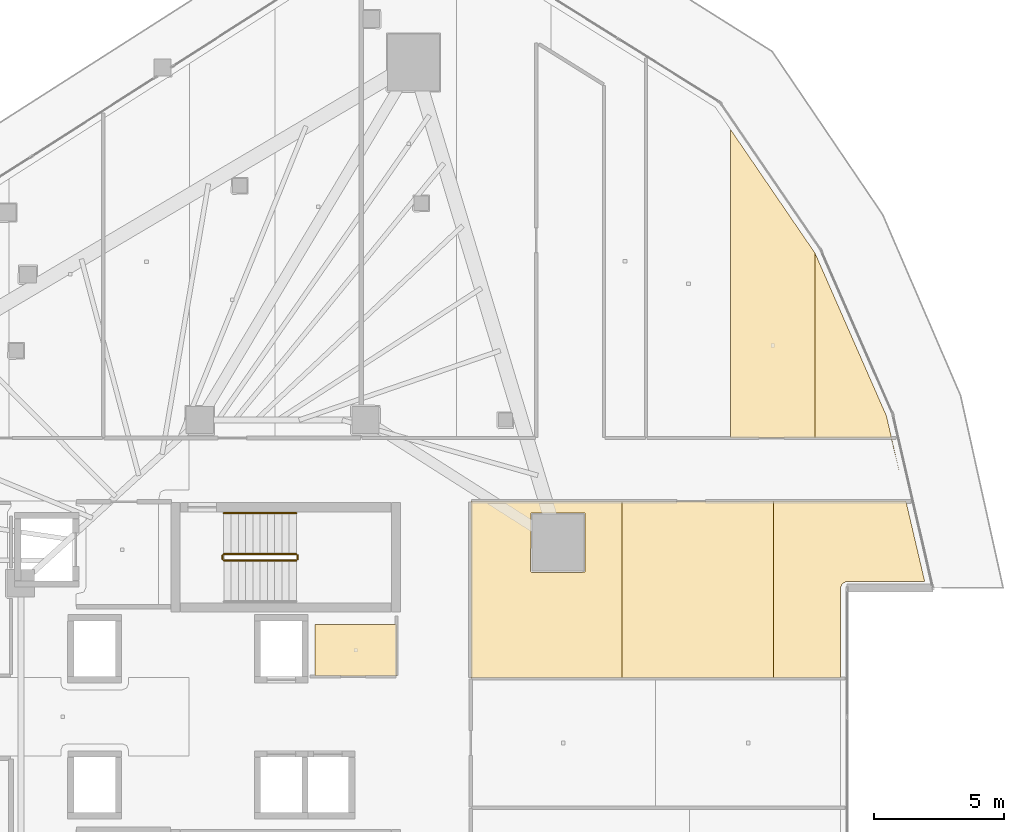
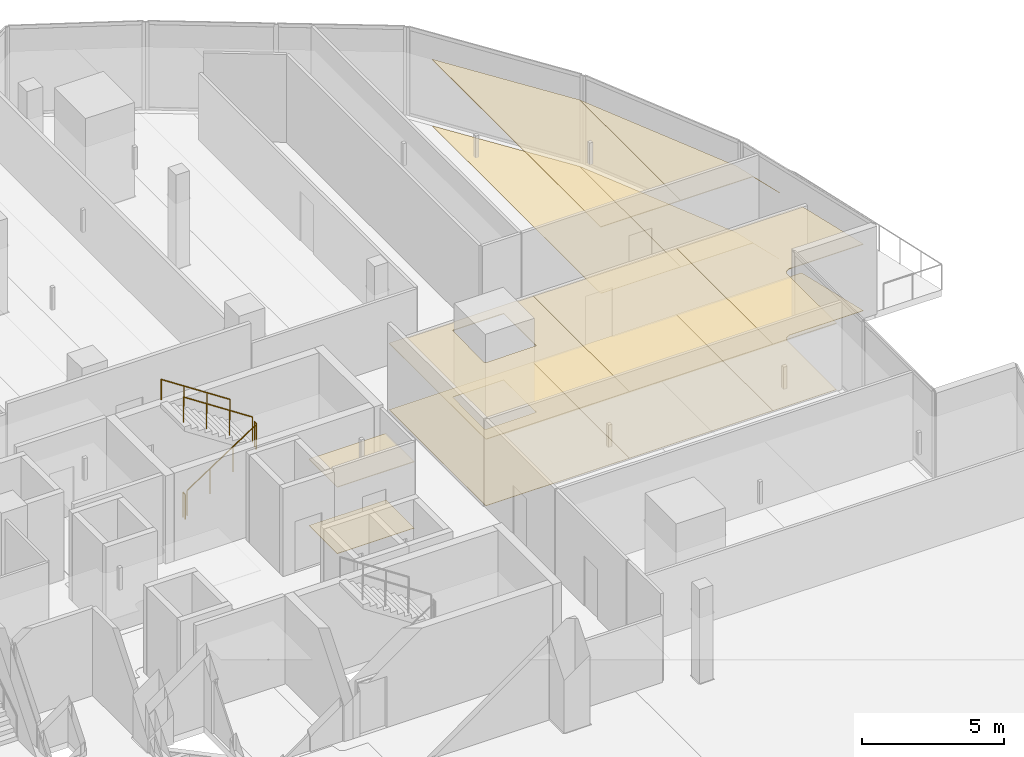
# One storey, part 34 of 35: 12 coverings, 5 railings.
"""IFC4 building model written with IfcOpenShell, lengths in metres."""

import ifcopenshell
import ifcopenshell.guid

model = None  # the IFC model being written
_history = None  # IfcOwnerHistory: only IFC2X3 demands one
_inside = {}  # id of a spatial element -> (the spatial element, [elements in it])
_under = {}  # id of a project, library or spatial element -> (it, [spatial elements below it])
_declared = {}  # id of a project -> (the project, [libraries it declares])
_typed = {}  # id of a type object -> (the type object, [elements of that type])
_made_of = {}  # id of a material, layer set ... -> (it, [elements and type objects made of it])


def new_model(schema):
    """Start an empty IFC model of exactly this schema.

    Asked for "IFC4X3", IfcOpenShell would pick the latest addendum, in which some entities
    have other attributes; the version numbers below select the first issue.
    IFC2X3 requires an IfcOwnerHistory on every rooted entity: one is made here for all.
    """
    global model, _history
    if schema == "IFC4X3":
        model = ifcopenshell.file(schema_version=(4, 3, 0, 0))
    else:
        model = ifcopenshell.file(schema=schema)
    _inside.clear()
    _under.clear()
    _declared.clear()
    _typed.clear()
    _made_of.clear()
    _history = None
    if model.schema == "IFC2X3":
        org = make("IfcOrganization", Name="unknown")
        user = make(
            "IfcPersonAndOrganization",
            ThePerson=make("IfcPerson", FamilyName="unknown"),
            TheOrganization=org,
        )
        app = make(
            "IfcApplication",
            ApplicationDeveloper=org,
            Version="unknown",
            ApplicationFullName="unknown",
            ApplicationIdentifier="unknown",
        )
        _history = make(
            "IfcOwnerHistory",
            OwningUser=user,
            OwningApplication=app,
            ChangeAction="ADDED",
            CreationDate=0,
        )
    return model


def make(cls, **values):
    """One entity of the class cls with the attributes given. An attribute that is None is left unset."""
    return model.create_entity(
        cls, **{name: value for name, value in values.items() if value is not None}
    )


def rooted(cls, **values):
    """An entity with a GlobalId (a new one), such as an element, a storey or a relation."""
    return make(cls, GlobalId=ifcopenshell.guid.new(), OwnerHistory=_history, **values)


def si_unit(unit_type, name, prefix=None):
    """IfcSIUnit, for example si_unit("LENGTHUNIT", "METRE", prefix="MILLI")."""
    return make("IfcSIUnit", UnitType=unit_type, Prefix=prefix, Name=name)


def assignment(units):
    """IfcUnitAssignment: the units of a project."""
    return None if units is None else make("IfcUnitAssignment", Units=units)


def point(xyz):
    """IfcCartesianPoint."""
    return None if xyz is None else make("IfcCartesianPoint", Coordinates=xyz)


def direction(xyz):
    """IfcDirection."""
    return None if xyz is None else make("IfcDirection", DirectionRatios=xyz)


def frame(location, z_axis=None, x_axis=None):
    """IfcAxis2Placement3D, a coordinate frame: its origin and axes. An axis left out is left unset."""
    return make(
        "IfcAxis2Placement3D",
        Location=point(location),
        Axis=direction(z_axis),
        RefDirection=direction(x_axis),
    )


def frame_2d(location, x_axis=None):
    """IfcAxis2Placement2D, a coordinate frame in the plane: its origin and x axis."""
    return make(
        "IfcAxis2Placement2D", Location=point(location), RefDirection=direction(x_axis)
    )


def origin():
    """The frame at (0, 0, 0) with its axes left unset."""
    return frame((0.0, 0.0, 0.0))


def origin_2d():
    """The frame at (0, 0) in the plane with its x axis left unset."""
    return frame_2d((0.0, 0.0))


def place(relative_to, where):
    """IfcLocalPlacement: puts the frame where relative to a parent placement (None: the world)."""
    return make(
        "IfcLocalPlacement", PlacementRelTo=relative_to, RelativePlacement=where
    )


def context(
    kind, dimensions, precision=None, world=None, true_north=None, identifier=None
):
    """IfcGeometricRepresentationContext, for example the 3D "Model" context."""
    return make(
        "IfcGeometricRepresentationContext",
        ContextIdentifier=identifier,
        ContextType=kind,
        CoordinateSpaceDimension=dimensions,
        Precision=precision,
        WorldCoordinateSystem=world,
        TrueNorth=true_north,
    )


def subcontext(parent, identifier, kind, view, scale=None):
    """IfcGeometricRepresentationSubContext, for example "Body" below "Model"."""
    return make(
        "IfcGeometricRepresentationSubContext",
        ContextIdentifier=identifier,
        ContextType=kind,
        ParentContext=parent,
        TargetScale=scale,
        TargetView=view,
    )


def project(units=None, contexts=None):
    """IfcProject with its units and contexts."""
    return rooted(
        "IfcProject",
        Name="project",
        RepresentationContexts=contexts,
        UnitsInContext=assignment(units),
    )


def spatial(cls, under=None, at=None, **own):
    """A site, building, storey or space (cls), placed at a placement, below another one or the project."""
    s = rooted(cls, ObjectPlacement=at, **own)
    if under is not None:
        _under.setdefault(under.id(), (under, []))[1].append(s)
    return s


def polyline(points):
    """IfcPolyline through the points."""
    return make("IfcPolyline", Points=[point(p) for p in points])


def profile(cls, at=None, kind="AREA", **sizes):
    """A parametric profile (cls). Its sizes go by their IFC names, for example OverallWidth=200.0."""
    return make(cls, ProfileType=kind, Position=at, **sizes)


def circle(**sizes):
    """IfcCircleProfileDef."""
    return profile("IfcCircleProfileDef", **sizes)


def outline(outer, holes=None, kind="AREA"):
    """IfcArbitraryClosedProfileDef: a profile drawn as a closed curve; with holes, ...WithVoids."""
    if holes is None:
        return make("IfcArbitraryClosedProfileDef", ProfileType=kind, OuterCurve=outer)
    return make(
        "IfcArbitraryProfileDefWithVoids",
        ProfileType=kind,
        OuterCurve=outer,
        InnerCurves=holes,
    )


def extrude(swept, where, along, depth):
    """IfcExtrudedAreaSolid: the profile swept, set in the frame where, extruded along a direction by depth."""
    return make(
        "IfcExtrudedAreaSolid",
        SweptArea=swept,
        Position=where,
        ExtrudedDirection=direction(along),
        Depth=depth,
    )


def shape(context_of_items, identifier, shape_type, items):
    """IfcShapeRepresentation: the items that make up one representation, for example the "Body"."""
    return make(
        "IfcShapeRepresentation",
        ContextOfItems=context_of_items,
        RepresentationIdentifier=identifier,
        RepresentationType=shape_type,
        Items=items,
    )


def material(Name=None, Category=None):
    """IfcMaterial."""
    return make("IfcMaterial", Name=Name, Category=Category)


def layer(
    of_material, thickness, ventilated=None, Name=None, Category=None, Priority=None
):
    """IfcMaterialLayer: one layer of a wall or slab, of a material (None: an air gap)."""
    return make(
        "IfcMaterialLayer",
        Material=of_material,
        LayerThickness=thickness,
        IsVentilated=ventilated,
        Name=Name,
        Category=Category,
        Priority=Priority,
    )


def layer_set(layers, Name=None):
    """IfcMaterialLayerSet."""
    return make("IfcMaterialLayerSet", MaterialLayers=layers, LayerSetName=Name)


def made_of(thing, what):
    """Note that an element or type object is made of a material, layer set ...; save() writes the relation."""
    if what is not None:
        _made_of.setdefault(what.id(), (what, []))[1].append(thing)
    return thing


def type_object(cls, material=None, **own):
    """A type object (cls), such as IfcWallType, which elements share."""
    return made_of(rooted(cls, **own), material)


def element(
    cls,
    number,
    at=None,
    inside=None,
    cuts=None,
    type_object=None,
    material=None,
    context=None,
    identifier="Body",
    shape_type=None,
    held_by="IfcProductDefinitionShape",
    body=None,
    shapes=None,
    **own,
):
    """One element of the class cls, such as IfcWall. Its Tag is "e" and its number.

    at: its placement. inside: the storey or other place that contains it. cuts: it is an
    opening in that element (IfcRelVoidsElement). A single representation is given by context,
    identifier, shape_type and body (its items); several are given by shapes. held_by: the class
    of the entity that holds the representations. save() writes the other relations.
    """
    e = rooted(cls, Tag="e%d" % number, ObjectPlacement=at, **own)
    if body is not None:
        shapes = [shape(context, identifier, shape_type, body)]
    if shapes is not None:
        e.Representation = make(held_by, Representations=shapes)
    if inside is not None:
        _inside.setdefault(inside.id(), (inside, []))[1].append(e)
    if cuts is not None:
        rooted(
            "IfcRelVoidsElement", RelatingBuildingElement=cuts, RelatedOpeningElement=e
        )
    if type_object is not None:
        _typed.setdefault(type_object.id(), (type_object, []))[1].append(e)
    return made_of(e, material)


def aggregate(whole, parts):
    """IfcRelAggregates: a whole, such as a stair, and the parts it consists of."""
    return rooted("IfcRelAggregates", RelatingObject=whole, RelatedObjects=parts)


def save(model, path):
    """Write the relations noted so far, then the file.

    IfcRelAggregates (storeys below a building ...), IfcRelContainedInSpatialStructure (elements
    in a storey), IfcRelDefinesByType, IfcRelAssociatesMaterial and IfcRelDeclares: one each for
    every whole, place, type object, material and project.
    """
    for whole, parts in _under.values():
        aggregate(whole, parts)
    for where, things in _inside.values():
        rooted(
            "IfcRelContainedInSpatialStructure",
            RelatedElements=things,
            RelatingStructure=where,
        )
    for kind, things in _typed.values():
        rooted("IfcRelDefinesByType", RelatedObjects=things, RelatingType=kind)
    for what, things in _made_of.values():
        rooted("IfcRelAssociatesMaterial", RelatedObjects=things, RelatingMaterial=what)
    for by, libraries in _declared.values():
        rooted("IfcRelDeclares", RelatingContext=by, RelatedDefinitions=libraries)
    model.write(path)


model = new_model("IFC4")

# Units and contexts
model_context = context("Model", 3, precision=1e-05, world=origin(), true_north=direction((0.0, 1.0)))
body_context = subcontext(model_context, "Body", "Model", "MODEL_VIEW")
ifc_project = project(units=[si_unit("LENGTHUNIT", "METRE"), si_unit("AREAUNIT", "SQUARE_METRE"), si_unit("VOLUMEUNIT", "CUBIC_METRE"), si_unit("PLANEANGLEUNIT", "RADIAN"), si_unit("MASSUNIT", "GRAM", prefix="KILO")], contexts=[model_context])

# Site, building, storey
site_placement = place(None, origin())
site = spatial("IfcSite", under=ifc_project, at=site_placement, CompositionType="ELEMENT")
building_placement = place(site_placement, origin())
building = spatial("IfcBuilding", under=site, at=building_placement, Name="Qorvath Tower", CompositionType="ELEMENT")
storey_placement = place(building_placement, frame((0.0, 0.0, 130.050048828125)))
storey = spatial("IfcBuildingStorey", under=building, at=storey_placement, Name="L29", CompositionType="ELEMENT", Elevation=130.050048828125)

# Coverings
ifc_material_1 = material(Name="Acoustic mineral fibre ceiling tile", Category="gypsum")
ifc_layer_1 = layer(ifc_material_1, 0.030029296875)
ifc_layer_set_1 = layer_set([ifc_layer_1], Name="COV-CEIL")
covering_type_1 = type_object("IfcCoveringType", Name="COV-CEIL", PredefinedType="CEILING", material=ifc_layer_set_1)
covering_1_placement = place(storey_placement, frame((0.0, 0.0, 2.849853515625)))
element("IfcCovering", 1, at=covering_1_placement, inside=storey, type_object=covering_type_1, Name="L29 Suspended Acoustic Ceiling 003", PredefinedType="CEILING", context=body_context, shape_type="SweptSolid", body=[
    extrude(outline(polyline([(-16.0048828125, 3.56005859375), (-19.139892578125, 3.56005859375), (-19.139892578125, 1.56494140625), (-16.0048828125, 1.56494140625), (-16.0048828125, 3.56005859375)])), origin(), (0.0, 0.0, 1.0), 0.030029296875),
])
covering_2_placement = place(storey_placement, frame((0.0, 0.0, 2.849853515625)))
element("IfcCovering", 2, at=covering_2_placement, inside=storey, type_object=covering_type_1, Name="L29 Suspended Acoustic Ceiling 020", PredefinedType="CEILING", context=body_context, shape_type="SweptSolid", body=[
    extrude(outline(polyline([(0.146240234375, 10.762939453125), (0.146240234375, 17.89111328125), (-3.109130859375, 22.655517578125), (-3.109130859375, 10.762939453125), (0.146240234375, 10.762939453125)])), origin(), (0.0, 0.0, 1.0), 0.030029296875),
])
covering_3_placement = place(storey_placement, frame((0.0, 0.0, 2.849853515625)))
element("IfcCovering", 3, at=covering_3_placement, inside=storey, type_object=covering_type_1, Name="L29 Suspended Acoustic Ceiling 021", PredefinedType="CEILING", context=body_context, shape_type="SweptSolid", body=[
    extrude(outline(polyline([(3.40185546875, 9.44580078125), (2.901123046875, 11.611572265625), (0.146240234375, 17.89111328125), (0.146240234375, 10.762939453125), (3.0810546875, 10.762939453125), (3.40185546875, 9.44580078125)])), origin(), (0.0, 0.0, 1.0), 0.030029296875),
])
covering_4_placement = place(storey_placement, frame((0.0, 0.0, 2.849853515625)))
element("IfcCovering", 4, at=covering_4_placement, inside=storey, type_object=covering_type_1, Name="L29 Suspended Acoustic Ceiling 029", PredefinedType="CEILING", context=body_context, shape_type="SweptSolid", body=[
    extrude(outline(polyline([(-7.298583984375, 1.49072265625), (-7.298583984375, 8.312744140625), (-13.136962890625, 8.306884765625), (-13.136962890625, 1.49072265625), (-7.298583984375, 1.49072265625)]), holes=[polyline([(-10.830322265625, 5.621337890625), (-10.812744140625, 7.86376953125), (-8.727783203125, 7.86376953125), (-8.727783203125, 5.578857421875), (-10.770263671875, 5.561279296875), (-10.830322265625, 5.621337890625)])]), origin(), (0.0, 0.0, 1.0), 0.030029296875),
])
covering_5_placement = place(storey_placement, frame((0.0, 0.0, 2.849853515625)))
element("IfcCovering", 5, at=covering_5_placement, inside=storey, type_object=covering_type_1, Name="L29 Suspended Acoustic Ceiling 030", PredefinedType="CEILING", context=body_context, shape_type="SweptSolid", body=[
    extrude(outline(polyline([(-1.460205078125, 1.49072265625), (-1.460205078125, 8.318359375), (-7.298583984375, 8.312744140625), (-7.298583984375, 1.49072265625), (-1.460205078125, 1.49072265625)])), origin(), (0.0, 0.0, 1.0), 0.030029296875),
])
covering_6_placement = place(storey_placement, frame((0.0, 0.0, 2.849853515625)))
element("IfcCovering", 6, at=covering_6_placement, inside=storey, type_object=covering_type_1, Name="L29 Suspended Acoustic Ceiling 031", PredefinedType="CEILING", context=body_context, shape_type="SweptSolid", body=[
    extrude(outline(polyline([(1.191162109375, 5.130859375), (1.338134765625, 5.21826171875), (4.378173828125, 5.222900390625), (3.6533203125, 8.3232421875), (-1.460205078125, 8.318359375), (-1.460205078125, 1.49072265625), (1.1318359375, 1.49072265625), (1.133056640625, 4.992431640625), (1.191162109375, 5.130859375)])), origin(), (0.0, 0.0, 1.0), 0.030029296875),
])
ifc_material_2 = material(Name="Low-VOC modular carpet tile", Category="textile")
ifc_layer_2 = layer(ifc_material_2, 0.014892578125)
ifc_layer_set_2 = layer_set([ifc_layer_2], Name="COV-FLOOR-CPT")
covering_type_2 = type_object("IfcCoveringType", Name="COV-FLOOR-CPT", PredefinedType="FLOORING", material=ifc_layer_set_2)
covering_7_placement = place(storey_placement, origin())
element("IfcCovering", 7, at=covering_7_placement, inside=storey, type_object=covering_type_2, Name="L29 Floor Finish 003", PredefinedType="FLOORING", context=body_context, shape_type="SweptSolid", body=[
    extrude(outline(polyline([(-16.0048828125, 3.56005859375), (-19.139892578125, 3.56005859375), (-19.139892578125, 1.56494140625), (-16.0048828125, 1.56494140625), (-16.0048828125, 3.56005859375)])), origin(), (0.0, 0.0, 1.0), 0.014892578125),
])
covering_8_placement = place(storey_placement, origin())
element("IfcCovering", 8, at=covering_8_placement, inside=storey, type_object=covering_type_2, Name="L29 Floor Finish 020", PredefinedType="FLOORING", context=body_context, shape_type="SweptSolid", body=[
    extrude(outline(polyline([(0.146240234375, 10.762939453125), (0.146240234375, 17.89111328125), (-3.109130859375, 22.655517578125), (-3.109130859375, 10.762939453125), (0.146240234375, 10.762939453125)])), origin(), (0.0, 0.0, 1.0), 0.014892578125),
])
covering_9_placement = place(storey_placement, origin())
element("IfcCovering", 9, at=covering_9_placement, inside=storey, type_object=covering_type_2, Name="L29 Floor Finish 021", PredefinedType="FLOORING", context=body_context, shape_type="SweptSolid", body=[
    extrude(outline(polyline([(3.40185546875, 9.44580078125), (2.901123046875, 11.611572265625), (0.146240234375, 17.89111328125), (0.146240234375, 10.762939453125), (3.0810546875, 10.762939453125), (3.40185546875, 9.44580078125)])), origin(), (0.0, 0.0, 1.0), 0.014892578125),
])
covering_10_placement = place(storey_placement, origin())
element("IfcCovering", 10, at=covering_10_placement, inside=storey, type_object=covering_type_2, Name="L29 Floor Finish 029", PredefinedType="FLOORING", context=body_context, shape_type="SweptSolid", body=[
    extrude(outline(polyline([(-7.298583984375, 1.49072265625), (-7.298583984375, 8.312744140625), (-13.136962890625, 8.306884765625), (-13.136962890625, 1.49072265625), (-7.298583984375, 1.49072265625)]), holes=[polyline([(-10.830322265625, 5.621337890625), (-10.812744140625, 7.86376953125), (-8.727783203125, 7.86376953125), (-8.727783203125, 5.578857421875), (-10.770263671875, 5.561279296875), (-10.830322265625, 5.621337890625)])]), origin(), (0.0, 0.0, 1.0), 0.014892578125),
])
covering_11_placement = place(storey_placement, origin())
element("IfcCovering", 11, at=covering_11_placement, inside=storey, type_object=covering_type_2, Name="L29 Floor Finish 030", PredefinedType="FLOORING", context=body_context, shape_type="SweptSolid", body=[
    extrude(outline(polyline([(-1.460205078125, 1.49072265625), (-1.460205078125, 8.318359375), (-7.298583984375, 8.312744140625), (-7.298583984375, 1.49072265625), (-1.460205078125, 1.49072265625)])), origin(), (0.0, 0.0, 1.0), 0.014892578125),
])
covering_12_placement = place(storey_placement, origin())
element("IfcCovering", 12, at=covering_12_placement, inside=storey, type_object=covering_type_2, Name="L29 Floor Finish 031", PredefinedType="FLOORING", context=body_context, shape_type="SweptSolid", body=[
    extrude(outline(polyline([(1.191162109375, 5.130859375), (1.338134765625, 5.21826171875), (4.378173828125, 5.222900390625), (3.6533203125, 8.3232421875), (-1.460205078125, 8.318359375), (-1.460205078125, 1.49072265625), (1.1318359375, 1.49072265625), (1.133056640625, 4.992431640625), (1.191162109375, 5.130859375)])), origin(), (0.0, 0.0, 1.0), 0.014892578125),
])

# Railings
ifc_material_3 = material(Name="Painted galvanised steel", Category="steel")
railing_type_1 = type_object("IfcRailingType", Name="RL-STR-GRD", PredefinedType="GUARDRAIL", material=ifc_material_3)
railing_1_placement = place(storey_placement, frame((-22.669921875, 6.030029296875, 0.18408203125)))
element("IfcRailing", 13, at=railing_1_placement, inside=storey, type_object=railing_type_1, Name="L29 TS1 stair guard 1", PredefinedType="GUARDRAIL", context=body_context, shape_type="SweptSolid", body=[
    extrude(circle(Radius=0.02392578125, at=origin_2d()), frame((0.0, 0.0, 1.076171875), z_axis=(0.835575518608, 0.0, 0.549375602573), x_axis=(0.0, 1.0, 0.0)), (0.0, 0.0, 1.0), 3.350830078125),
    extrude(circle(Radius=0.02099609375, at=origin_2d()), origin(), (0.0, 0.0, 1.0), 1.052001953125),
    extrude(circle(Radius=0.02099609375, at=origin_2d()), frame((0.933349609375, 0.0, 0.613525390625)), (0.0, 0.0, 1.0), 1.052001953125),
    extrude(circle(Radius=0.02099609375, at=origin_2d()), frame((1.866455078125, 0.0, 1.227294921875)), (0.0, 0.0, 1.0), 1.052001953125),
    extrude(circle(Radius=0.02099609375, at=origin_2d()), frame((2.7998046875, 0.0, 1.8408203125)), (0.0, 0.0, 1.0), 1.052001953125),
])
railing_2_placement = place(storey_placement, frame((-19.820068359375, 6.080078125, 2.02490234375)))
element("IfcRailing", 14, at=railing_2_placement, inside=storey, type_object=railing_type_1, Name="L29 TS1 stair guard 2", PredefinedType="GUARDRAIL", context=body_context, shape_type="SweptSolid", body=[
    extrude(circle(Radius=0.02392578125, at=origin_2d()), frame((0.0, 0.0, 1.076171875), z_axis=(0.0, 1.0, 0.0), x_axis=(-1.0, 0.0, 0.0)), (0.0, 0.0, 1.0), 0.14990234375),
    extrude(circle(Radius=0.02099609375, at=origin_2d()), origin(), (0.0, 0.0, 1.0), 1.052001953125),
    extrude(circle(Radius=0.02099609375, at=origin_2d()), frame((0.0, 0.14990234375, 0.0)), (0.0, 0.0, 1.0), 1.052001953125),
])
railing_3_placement = place(storey_placement, frame((-19.8701171875, 6.280029296875, 2.208984375)))
element("IfcRailing", 15, at=railing_3_placement, inside=storey, type_object=railing_type_1, Name="L29 TS1 stair guard 3", PredefinedType="GUARDRAIL", context=body_context, shape_type="SweptSolid", body=[
    extrude(circle(Radius=0.02392578125, at=origin_2d()), frame((0.0, 0.0, 1.076171875), z_axis=(-0.835542071712, 0.0, 0.549426470421), x_axis=(0.0, -1.0, 0.0)), (0.0, 0.0, 1.0), 3.350830078125),
    extrude(circle(Radius=0.02099609375, at=origin_2d()), origin(), (0.0, 0.0, 1.0), 1.052001953125),
    extrude(circle(Radius=0.02099609375, at=origin_2d()), frame((-0.933349609375, 0.0, 0.61376953125)), (0.0, 0.0, 1.0), 1.052001953125),
    extrude(circle(Radius=0.02099609375, at=origin_2d()), frame((-1.866455078125, 0.0, 1.227294921875)), (0.0, 0.0, 1.0), 1.052001953125),
    extrude(circle(Radius=0.02099609375, at=origin_2d()), frame((-2.7998046875, 0.0, 1.841064453125)), (0.0, 0.0, 1.0), 1.052001953125),
])
railing_4_placement = place(storey_placement, frame((-22.719970703125, 6.080078125, 0.0)))
element("IfcRailing", 16, at=railing_4_placement, inside=storey, type_object=railing_type_1, Name="L29 TS1 stair guard 4", PredefinedType="GUARDRAIL", context=body_context, shape_type="SweptSolid", body=[
    extrude(circle(Radius=0.02392578125, at=origin_2d()), frame((0.0, 0.0, 1.076171875), z_axis=(0.0, 1.0, 0.0), x_axis=(-1.0, 0.0, 0.0)), (0.0, 0.0, 1.0), 0.14990234375),
    extrude(circle(Radius=0.02099609375, at=origin_2d()), origin(), (0.0, 0.0, 1.0), 1.052001953125),
    extrude(circle(Radius=0.02099609375, at=origin_2d()), frame((0.0, 0.14990234375, 0.0)), (0.0, 0.0, 1.0), 1.052001953125),
])
ifc_material_4 = material(Name="Brushed stainless steel AISI 304", Category="steel")
railing_type_2 = type_object("IfcRailingType", Name="RL-STR-HND", PredefinedType="HANDRAIL", material=ifc_material_4)
railing_5_placement = place(storey_placement, frame((-19.8701171875, 7.860107421875, 2.208984375)))
element("IfcRailing", 17, at=railing_5_placement, inside=storey, type_object=railing_type_2, Name="L29 TS1 stair handrail 2", PredefinedType="HANDRAIL", context=body_context, shape_type="SweptSolid", body=[
    extrude(circle(Radius=0.02392578125, at=origin_2d()), frame((0.0, 0.0, 0.8759765625), z_axis=(-0.835542071712, 0.0, 0.549426470421), x_axis=(0.0, -1.0, 0.0)), (0.0, 0.0, 1.0), 3.350830078125),
    extrude(circle(Radius=0.02099609375, at=origin_2d()), origin(), (0.0, 0.0, 1.0), 0.851806640625),
    extrude(circle(Radius=0.02099609375, at=origin_2d()), frame((-0.933349609375, 0.0, 0.61376953125)), (0.0, 0.0, 1.0), 0.851806640625),
    extrude(circle(Radius=0.02099609375, at=origin_2d()), frame((-1.866455078125, 0.0, 1.227294921875)), (0.0, 0.0, 1.0), 0.851806640625),
    extrude(circle(Radius=0.02099609375, at=origin_2d()), frame((-2.7998046875, 0.0, 1.841064453125)), (0.0, 0.0, 1.0), 0.851806640625),
])

save(model, "model.ifc")
